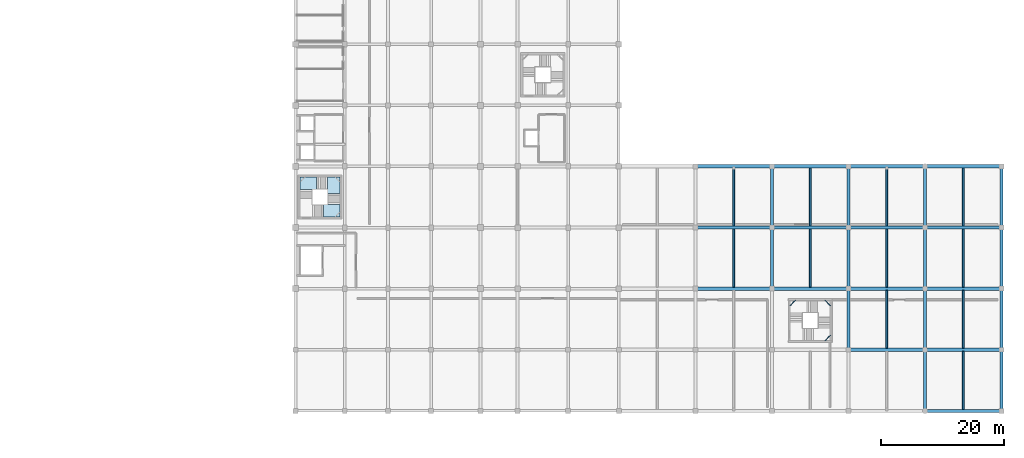
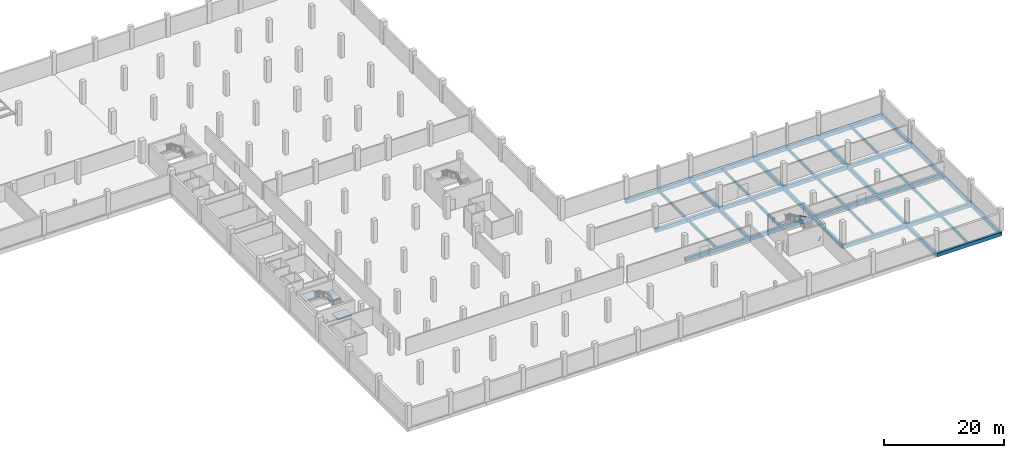
# One storey, part 7 of 32: 42 beams, 3 slabs, 1 element without a shape of its own.
"""IFC4 building model written with IfcOpenShell, lengths in metres."""

from ifc_helpers import new_model, si_unit, direction, frame, origin, origin_2d, place, context, subcontext, project, spatial, polyline, rectangle, hollow_rectangle, outline, extrude, material, layer, layer_set, material_profile, profile_set, type_object, element, aggregate, save


model = new_model("IFC4")

# Units and contexts
model_context = context("Model", 3, precision=1e-05, world=origin(), true_north=direction((0.0, 1.0)))
body_context = subcontext(model_context, "Body", "Model", "MODEL_VIEW")
ifc_project = project(units=[si_unit("LENGTHUNIT", "METRE"), si_unit("AREAUNIT", "SQUARE_METRE"), si_unit("VOLUMEUNIT", "CUBIC_METRE"), si_unit("PLANEANGLEUNIT", "RADIAN"), si_unit("MASSUNIT", "GRAM", prefix="KILO")], contexts=[model_context])

# Site, building, storey
site_placement = place(None, origin())
site = spatial("IfcSite", under=ifc_project, at=site_placement, CompositionType="ELEMENT")
building_placement = place(site_placement, origin())
building = spatial("IfcBuilding", under=site, at=building_placement, Name="Sillaruma Civic Art Gallery", CompositionType="ELEMENT")
storey_placement = place(building_placement, frame((0.0, 0.0, -4.590087890625)))
storey = spatial("IfcBuildingStorey", under=building, at=storey_placement, Name="B01", CompositionType="ELEMENT", Elevation=-4.590087890625)

# Beams
ifc_material_1 = material(Name="Concrete H40 (40 MPa)", Category="concrete")
ifc_material_profile_1 = material_profile(ifc_material_1, rectangle(XDim=0.449951171875, YDim=0.75, at=origin_2d()), Name="RCB450x750")
ifc_profile_set_1 = profile_set([ifc_material_profile_1], Name="Concrete H40 (40 MPa)")
beam_type_1 = type_object("IfcBeamType", Name="BM-BEAM-RCB450x750", PredefinedType="BEAM", material=ifc_profile_set_1)
beam_1_placement = place(storey_placement, frame((139.199951171875, 19.800048828125, -0.655029296875), z_axis=(0.0, 1.0, 0.0), x_axis=(-1.0, 0.0, 0.0)))
element("IfcBeam", 1, at=beam_1_placement, inside=storey, type_object=beam_type_1, Name="Beam BM-03 (B02:Q:3-4)", PredefinedType="BEAM", context=body_context, shape_type="SweptSolid", body=[
    extrude(rectangle(XDim=0.449951171875, YDim=0.75, at=origin_2d()), origin(), (0.0, 0.0, 1.0), 9.89990234375),
])
for number, where, z_axis, x_axis, name in (
    (2, (139.199951171875, 29.699951171875, -0.655029296875), (0.0, 1.0, 0.0), (-1.0, 0.0, 0.0), "Beam BM-03 (B02:Q:4-5)"),
    (3, (151.60009765625, 9.89990234375, -0.655029296875), (0.0, 1.0, 0.0), (-1.0, 0.0, 0.0), "Beam BM-03 (B02:R:2-3)"),
):
    element("IfcBeam", number, at=place(storey_placement, frame(where, z_axis=z_axis, x_axis=x_axis)), inside=storey, type_object=beam_type_1, Name=name, PredefinedType="BEAM", context=body_context, shape_type="SweptSolid", body=[
        extrude(rectangle(XDim=0.449951171875, YDim=0.75, at=origin_2d()), origin(), (0.0, 0.0, 1.0), 9.900146484375),
    ])
beam_2_placement = place(storey_placement, frame((151.60009765625, 19.800048828125, -0.655029296875), z_axis=(0.0, 1.0, 0.0), x_axis=(-1.0, 0.0, 0.0)))
element("IfcBeam", 4, at=beam_2_placement, inside=storey, type_object=beam_type_1, Name="Beam BM-03 (B02:R:3-4)", PredefinedType="BEAM", context=body_context, shape_type="SweptSolid", body=[
    extrude(rectangle(XDim=0.449951171875, YDim=0.75, at=origin_2d()), origin(), (0.0, 0.0, 1.0), 9.89990234375),
])
beam_3_placement = place(storey_placement, frame((151.60009765625, 29.699951171875, -0.655029296875), z_axis=(0.0, 1.0, 0.0), x_axis=(-1.0, 0.0, 0.0)))
element("IfcBeam", 5, at=beam_3_placement, inside=storey, type_object=beam_type_1, Name="Beam BM-03 (B02:R:4-5)", PredefinedType="BEAM", context=body_context, shape_type="SweptSolid", body=[
    extrude(rectangle(XDim=0.449951171875, YDim=0.75, at=origin_2d()), origin(), (0.0, 0.0, 1.0), 9.900146484375),
])
beam_4_placement = place(storey_placement, frame((164.0, 0.0, -0.655029296875), z_axis=(0.0, 1.0, 0.0), x_axis=(-1.0, 0.0, 0.0)))
element("IfcBeam", 6, at=beam_4_placement, inside=storey, type_object=beam_type_1, Name="Beam BM-03 (B02:S:1-2)", PredefinedType="BEAM", context=body_context, shape_type="SweptSolid", body=[
    extrude(rectangle(XDim=0.449951171875, YDim=0.75, at=origin_2d()), origin(), (0.0, 0.0, 1.0), 9.89990234375),
])
beam_5_placement = place(storey_placement, frame((164.0, 9.89990234375, -0.655029296875), z_axis=(0.0, 1.0, 0.0), x_axis=(-1.0, 0.0, 0.0)))
element("IfcBeam", 7, at=beam_5_placement, inside=storey, type_object=beam_type_1, Name="Beam BM-03 (B02:S:2-3)", PredefinedType="BEAM", context=body_context, shape_type="SweptSolid", body=[
    extrude(rectangle(XDim=0.449951171875, YDim=0.75, at=origin_2d()), origin(), (0.0, 0.0, 1.0), 9.900146484375),
])
beam_6_placement = place(storey_placement, frame((164.0, 19.800048828125, -0.655029296875), z_axis=(0.0, 1.0, 0.0), x_axis=(-1.0, 0.0, 0.0)))
element("IfcBeam", 8, at=beam_6_placement, inside=storey, type_object=beam_type_1, Name="Beam BM-03 (B02:S:3-4)", PredefinedType="BEAM", context=body_context, shape_type="SweptSolid", body=[
    extrude(rectangle(XDim=0.449951171875, YDim=0.75, at=origin_2d()), origin(), (0.0, 0.0, 1.0), 9.89990234375),
])
beam_7_placement = place(storey_placement, frame((164.0, 29.699951171875, -0.655029296875), z_axis=(0.0, 1.0, 0.0), x_axis=(-1.0, 0.0, 0.0)))
element("IfcBeam", 9, at=beam_7_placement, inside=storey, type_object=beam_type_1, Name="Beam BM-03 (B02:S:4-5)", PredefinedType="BEAM", context=body_context, shape_type="SweptSolid", body=[
    extrude(rectangle(XDim=0.449951171875, YDim=0.75, at=origin_2d()), origin(), (0.0, 0.0, 1.0), 9.900146484375),
])
beam_8_placement = place(storey_placement, frame((176.39990234375, 0.0, -0.655029296875), z_axis=(0.0, 1.0, 0.0), x_axis=(-1.0, 0.0, 0.0)))
element("IfcBeam", 10, at=beam_8_placement, inside=storey, type_object=beam_type_1, Name="Beam BM-03 (B02:T:1-2)", PredefinedType="BEAM", context=body_context, shape_type="SweptSolid", body=[
    extrude(rectangle(XDim=0.449951171875, YDim=0.75, at=origin_2d()), origin(), (0.0, 0.0, 1.0), 9.89990234375),
])
beam_9_placement = place(storey_placement, frame((176.39990234375, 9.89990234375, -0.655029296875), z_axis=(0.0, 1.0, 0.0), x_axis=(-1.0, 0.0, 0.0)))
element("IfcBeam", 11, at=beam_9_placement, inside=storey, type_object=beam_type_1, Name="Beam BM-03 (B02:T:2-3)", PredefinedType="BEAM", context=body_context, shape_type="SweptSolid", body=[
    extrude(rectangle(XDim=0.449951171875, YDim=0.75, at=origin_2d()), origin(), (0.0, 0.0, 1.0), 9.900146484375),
])
beam_10_placement = place(storey_placement, frame((176.39990234375, 19.800048828125, -0.655029296875), z_axis=(0.0, 1.0, 0.0), x_axis=(-1.0, 0.0, 0.0)))
element("IfcBeam", 12, at=beam_10_placement, inside=storey, type_object=beam_type_1, Name="Beam BM-03 (B02:T:3-4)", PredefinedType="BEAM", context=body_context, shape_type="SweptSolid", body=[
    extrude(rectangle(XDim=0.449951171875, YDim=0.75, at=origin_2d()), origin(), (0.0, 0.0, 1.0), 9.89990234375),
])
beam_11_placement = place(storey_placement, frame((176.39990234375, 29.699951171875, -0.655029296875), z_axis=(0.0, 1.0, 0.0), x_axis=(-1.0, 0.0, 0.0)))
element("IfcBeam", 13, at=beam_11_placement, inside=storey, type_object=beam_type_1, Name="Beam BM-03 (B02:T:4-5)", PredefinedType="BEAM", context=body_context, shape_type="SweptSolid", body=[
    extrude(rectangle(XDim=0.449951171875, YDim=0.75, at=origin_2d()), origin(), (0.0, 0.0, 1.0), 9.900146484375),
])
ifc_material_profile_2 = material_profile(ifc_material_1, rectangle(XDim=0.550048828125, YDim=0.85009765625, at=origin_2d()), Name="RCB550x850")
ifc_profile_set_2 = profile_set([ifc_material_profile_2], Name="Concrete H40 (40 MPa)")
beam_type_2 = type_object("IfcBeamType", Name="BM-BEAM-RCB550x850", PredefinedType="BEAM", material=ifc_profile_set_2)
beam_12_placement = place(storey_placement, frame((126.800048828125, 39.60009765625, -0.704833984375), z_axis=(1.0, 0.0, 0.0), x_axis=(0.0, 1.0, 0.0)))
element("IfcBeam", 14, at=beam_12_placement, inside=storey, type_object=beam_type_2, Name="Beam BM-01 (B02:5:P-Q)", PredefinedType="BEAM", context=body_context, shape_type="SweptSolid", body=[
    extrude(rectangle(XDim=0.550048828125, YDim=0.85009765625, at=origin_2d()), origin(), (0.0, 0.0, 1.0), 12.39990234375),
])
beam_13_placement = place(storey_placement, frame((139.199951171875, 39.60009765625, -0.704833984375), z_axis=(1.0, 0.0, 0.0), x_axis=(0.0, 1.0, 0.0)))
element("IfcBeam", 15, at=beam_13_placement, inside=storey, type_object=beam_type_2, Name="Beam BM-01 (B02:5:Q-R)", PredefinedType="BEAM", context=body_context, shape_type="SweptSolid", body=[
    extrude(rectangle(XDim=0.550048828125, YDim=0.85009765625, at=origin_2d()), origin(), (0.0, 0.0, 1.0), 12.400146484375),
])
for number, where, z_axis, x_axis, name in (
    (16, (151.60009765625, 39.60009765625, -0.704833984375), (1.0, 0.0, 0.0), (0.0, 1.0, 0.0), "Beam BM-01 (B02:5:R-S)"),
    (17, (164.0, 39.60009765625, -0.704833984375), (1.0, 0.0, 0.0), (0.0, 1.0, 0.0), "Beam BM-01 (B02:5:S-T)"),
):
    element("IfcBeam", number, at=place(storey_placement, frame(where, z_axis=z_axis, x_axis=x_axis)), inside=storey, type_object=beam_type_2, Name=name, PredefinedType="BEAM", context=body_context, shape_type="SweptSolid", body=[
        extrude(rectangle(XDim=0.550048828125, YDim=0.85009765625, at=origin_2d()), origin(), (0.0, 0.0, 1.0), 12.39990234375),
    ])
ifc_material_2 = material(Name="Concrete H35 (35 MPa)", Category="concrete")
ifc_material_profile_3 = material_profile(ifc_material_2, rectangle(XDim=0.300048828125, YDim=0.52001953125, at=origin_2d()), Name="RCB300x520")
ifc_profile_set_3 = profile_set([ifc_material_profile_3], Name="Concrete H35 (35 MPa)")
beam_type_3 = type_object("IfcBeamType", Name="BM-JOIST-RCB300x520", PredefinedType="JOIST", material=ifc_profile_set_3)
beam_14_placement = place(storey_placement, frame((170.199951171875, 0.22509765625, -0.539794921875), z_axis=(0.0, 1.0, 0.0), x_axis=(-1.0, 0.0, 0.0)))
element("IfcBeam", 18, at=beam_14_placement, inside=storey, type_object=beam_type_3, Name="Floor Joist JR-01 (B02:ST:1-2)", PredefinedType="JOIST", context=body_context, shape_type="SweptSolid", body=[
    extrude(rectangle(XDim=0.300048828125, YDim=0.52001953125, at=origin_2d()), origin(), (0.0, 0.0, 1.0), 9.414794921875),
])
for number, where, z_axis, x_axis, name in (
    (19, (157.800048828125, 10.159912109375, -0.539794921875), (0.0, 1.0, 0.0), (-1.0, 0.0, 0.0), "Floor Joist JR-01 (B02:RS:2-3)"),
    (20, (170.199951171875, 10.159912109375, -0.539794921875), (0.0, 1.0, 0.0), (-1.0, 0.0, 0.0), "Floor Joist JR-01 (B02:ST:2-3)"),
):
    element("IfcBeam", number, at=place(storey_placement, frame(where, z_axis=z_axis, x_axis=x_axis)), inside=storey, type_object=beam_type_3, Name=name, PredefinedType="JOIST", context=body_context, shape_type="SweptSolid", body=[
        extrude(rectangle(XDim=0.300048828125, YDim=0.52001953125, at=origin_2d()), origin(), (0.0, 0.0, 1.0), 9.380126953125),
    ])
for number, where, z_axis, x_axis, name in (
    (21, (133.0, 20.06005859375, -0.539794921875), (0.0, 1.0, 0.0), (-1.0, 0.0, 0.0), "Floor Joist JR-01 (B02:PQ:3-4)"),
    (22, (145.39990234375, 20.06005859375, -0.539794921875), (0.0, 1.0, 0.0), (-1.0, 0.0, 0.0), "Floor Joist JR-01 (B02:QR:3-4)"),
    (23, (157.800048828125, 20.06005859375, -0.539794921875), (0.0, 1.0, 0.0), (-1.0, 0.0, 0.0), "Floor Joist JR-01 (B02:RS:3-4)"),
    (24, (170.199951171875, 20.06005859375, -0.539794921875), (0.0, 1.0, 0.0), (-1.0, 0.0, 0.0), "Floor Joist JR-01 (B02:ST:3-4)"),
):
    element("IfcBeam", number, at=place(storey_placement, frame(where, z_axis=z_axis, x_axis=x_axis)), inside=storey, type_object=beam_type_3, Name=name, PredefinedType="JOIST", context=body_context, shape_type="SweptSolid", body=[
        extrude(rectangle(XDim=0.300048828125, YDim=0.52001953125, at=origin_2d()), origin(), (0.0, 0.0, 1.0), 9.3798828125),
    ])
for number, where, z_axis, x_axis, name in (
    (25, (133.0, 29.9599609375, -0.539794921875), (0.0, 1.0, 0.0), (-1.0, 0.0, 0.0), "Floor Joist JR-01 (B02:PQ:4-5)"),
    (26, (145.39990234375, 29.9599609375, -0.539794921875), (0.0, 1.0, 0.0), (-1.0, 0.0, 0.0), "Floor Joist JR-01 (B02:QR:4-5)"),
    (27, (157.800048828125, 29.9599609375, -0.539794921875), (0.0, 1.0, 0.0), (-1.0, 0.0, 0.0), "Floor Joist JR-01 (B02:RS:4-5)"),
    (28, (170.199951171875, 29.9599609375, -0.539794921875), (0.0, 1.0, 0.0), (-1.0, 0.0, 0.0), "Floor Joist JR-01 (B02:ST:4-5)"),
):
    element("IfcBeam", number, at=place(storey_placement, frame(where, z_axis=z_axis, x_axis=x_axis)), inside=storey, type_object=beam_type_3, Name=name, PredefinedType="JOIST", context=body_context, shape_type="SweptSolid", body=[
        extrude(rectangle(XDim=0.300048828125, YDim=0.52001953125, at=origin_2d()), origin(), (0.0, 0.0, 1.0), 9.364990234375),
    ])
ifc_material_3 = material(Name="Structural Steel ASTM A500 Gr.C", Category="steel")
ifc_material_profile_4 = material_profile(ifc_material_3, hollow_rectangle(XDim=0.080078125, YDim=0.159912109375, WallThickness=0.008056640625, InnerFilletRadius=0.008056640625, OuterFilletRadius=0.01611328125, at=origin_2d()), Name="HSS160x80x8")
ifc_profile_set_4 = profile_set([ifc_material_profile_4], Name="Structural Steel ASTM A500 Gr.C")
beam_type_4 = type_object("IfcBeamType", Name="BM-LND-HSS160", PredefinedType="BEAM", material=ifc_profile_set_4)
for number, where, z_axis, x_axis, name in (
    (29, (147.7900390625, 11.360107421875, 0.91015625), (0.707106781187, 0.707106781187, 0.0), (-0.707106781187, 0.707106781187, 0.0), "Stair Corner Landing Trimmer Beam (ST-05-B01-1)"),
    (30, (147.7900390625, 17.919921875, 2.10009765625), (0.707106781187, -0.707106781187, 0.0), (0.707106781187, 0.707106781187, 0.0), "Stair Corner Landing Trimmer Beam (ST-05-B01-2)"),
    (31, (142.1201171875, 17.030029296875, 3.2900390625), (0.707106781187, 0.707106781187, 0.0), (-0.707106781187, 0.707106781187, 0.0), "Stair Corner Landing Trimmer Beam (ST-05-B01-3)"),
):
    element("IfcBeam", number, at=place(storey_placement, frame(where, z_axis=z_axis, x_axis=x_axis)), inside=storey, type_object=beam_type_4, Name=name, PredefinedType="BEAM", context=body_context, shape_type="SweptSolid", body=[
        extrude(hollow_rectangle(XDim=0.080078125, YDim=0.159912109375, WallThickness=0.008056640625, InnerFilletRadius=0.008056640625, OuterFilletRadius=0.01611328125, at=origin_2d()), origin(), (0.0, 0.0, 1.0), 1.258544921875),
    ])
ifc_material_profile_5 = material_profile(ifc_material_1, rectangle(XDim=0.449951171875, YDim=0.75, at=origin_2d()), Name="RCB450x750")
ifc_profile_set_5 = profile_set([ifc_material_profile_5], Name="Concrete H40 (40 MPa)")
beam_type_5 = type_object("IfcBeamType", Name="BM-SPANDREL-RCB450x750", PredefinedType="SPANDREL", material=ifc_profile_set_5)
beam_15_placement = place(storey_placement, frame((164.0, 0.0, -0.655029296875), z_axis=(1.0, 0.0, 0.0), x_axis=(0.0, 1.0, 0.0)))
element("IfcBeam", 32, at=beam_15_placement, inside=storey, type_object=beam_type_5, Name="Beam BS-01 (B02:1:S-T)", PredefinedType="SPANDREL", context=body_context, shape_type="SweptSolid", body=[
    extrude(rectangle(XDim=0.449951171875, YDim=0.75, at=origin_2d()), origin(), (0.0, 0.0, 1.0), 12.39990234375),
])
ifc_material_profile_6 = material_profile(ifc_material_1, rectangle(XDim=0.52001953125, YDim=0.780029296875, at=origin_2d()), Name="RCT520x780")
ifc_profile_set_6 = profile_set([ifc_material_profile_6], Name="Concrete H40 (40 MPa)")
beam_type_6 = type_object("IfcBeamType", Name="BM-T_BEAM-RCT520x780", PredefinedType="T_BEAM", material=ifc_profile_set_6)
for number, where, z_axis, x_axis, name in (
    (33, (151.60009765625, 9.89990234375, -0.669921875), (1.0, 0.0, 0.0), (0.0, 1.0, 0.0), "Beam BT-01 (B02:2:R-S)"),
    (34, (164.0, 9.89990234375, -0.669921875), (1.0, 0.0, 0.0), (0.0, 1.0, 0.0), "Beam BT-01 (B02:2:S-T)"),
    (35, (126.800048828125, 19.800048828125, -0.669921875), (1.0, 0.0, 0.0), (0.0, 1.0, 0.0), "Beam BT-01 (B02:3:P-Q)"),
):
    element("IfcBeam", number, at=place(storey_placement, frame(where, z_axis=z_axis, x_axis=x_axis)), inside=storey, type_object=beam_type_6, Name=name, PredefinedType="T_BEAM", context=body_context, shape_type="SweptSolid", body=[
        extrude(rectangle(XDim=0.52001953125, YDim=0.780029296875, at=origin_2d()), origin(), (0.0, 0.0, 1.0), 12.39990234375),
    ])
beam_16_placement = place(storey_placement, frame((139.199951171875, 19.800048828125, -0.669921875), z_axis=(1.0, 0.0, 0.0), x_axis=(0.0, 1.0, 0.0)))
element("IfcBeam", 36, at=beam_16_placement, inside=storey, type_object=beam_type_6, Name="Beam BT-01 (B02:3:Q-R)", PredefinedType="T_BEAM", context=body_context, shape_type="SweptSolid", body=[
    extrude(rectangle(XDim=0.52001953125, YDim=0.780029296875, at=origin_2d()), origin(), (0.0, 0.0, 1.0), 12.400146484375),
])
for number, where, z_axis, x_axis, name in (
    (37, (151.60009765625, 19.800048828125, -0.669921875), (1.0, 0.0, 0.0), (0.0, 1.0, 0.0), "Beam BT-01 (B02:3:R-S)"),
    (38, (164.0, 19.800048828125, -0.669921875), (1.0, 0.0, 0.0), (0.0, 1.0, 0.0), "Beam BT-01 (B02:3:S-T)"),
    (39, (126.800048828125, 29.699951171875, -0.669921875), (1.0, 0.0, 0.0), (0.0, 1.0, 0.0), "Beam BT-01 (B02:4:P-Q)"),
):
    element("IfcBeam", number, at=place(storey_placement, frame(where, z_axis=z_axis, x_axis=x_axis)), inside=storey, type_object=beam_type_6, Name=name, PredefinedType="T_BEAM", context=body_context, shape_type="SweptSolid", body=[
        extrude(rectangle(XDim=0.52001953125, YDim=0.780029296875, at=origin_2d()), origin(), (0.0, 0.0, 1.0), 12.39990234375),
    ])
beam_17_placement = place(storey_placement, frame((139.199951171875, 29.699951171875, -0.669921875), z_axis=(1.0, 0.0, 0.0), x_axis=(0.0, 1.0, 0.0)))
element("IfcBeam", 40, at=beam_17_placement, inside=storey, type_object=beam_type_6, Name="Beam BT-01 (B02:4:Q-R)", PredefinedType="T_BEAM", context=body_context, shape_type="SweptSolid", body=[
    extrude(rectangle(XDim=0.52001953125, YDim=0.780029296875, at=origin_2d()), origin(), (0.0, 0.0, 1.0), 12.400146484375),
])
for number, where, z_axis, x_axis, name in (
    (41, (151.60009765625, 29.699951171875, -0.669921875), (1.0, 0.0, 0.0), (0.0, 1.0, 0.0), "Beam BT-01 (B02:4:R-S)"),
    (42, (164.0, 29.699951171875, -0.669921875), (1.0, 0.0, 0.0), (0.0, 1.0, 0.0), "Beam BT-01 (B02:4:S-T)"),
):
    element("IfcBeam", number, at=place(storey_placement, frame(where, z_axis=z_axis, x_axis=x_axis)), inside=storey, type_object=beam_type_6, Name=name, PredefinedType="T_BEAM", context=body_context, shape_type="SweptSolid", body=[
        extrude(rectangle(XDim=0.52001953125, YDim=0.780029296875, at=origin_2d()), origin(), (0.0, 0.0, 1.0), 12.39990234375),
    ])

# Stair, slabs
stair_type = type_object("IfcStairType", Name="STR-4F-27", PredefinedType="USERDEFINED", material=ifc_material_2)
stair_placement = place(storey_placement, origin())
stair = element("IfcStair", 43, at=stair_placement, inside=storey, type_object=stair_type, Name="Protected Exit Stair ST-03 (West Bar South) (B01)", ObjectType="THREE_RETURN_STAIR", PredefinedType="USERDEFINED")
ifc_layer = layer(ifc_material_2, 0.199951171875, Name="Concrete H35 (35 MPa)")
ifc_layer_set = layer_set([ifc_layer], Name="Concrete H35 (35 MPa)")
slab_type = type_object("IfcSlabType", Name="SLB-LND-200", PredefinedType="LANDING", material=ifc_layer_set)
slab_1_placement = place(storey_placement, frame((0.0, 0.0, 0.989990234375)))
slab_1 = element("IfcSlab", 44, at=slab_1_placement, type_object=slab_type, Name="ST-03 landing 1", PredefinedType="LANDING", context=body_context, shape_type="SweptSolid", body=[
    extrude(outline(polyline([(66.5400390625, 31.409912109375), (69.239990234375, 31.409912109375), (69.239990234375, 33.449951171875), (66.5400390625, 33.449951171875), (66.5400390625, 31.409912109375)])), origin(), (0.0, 0.0, 1.0), 0.2001953125),
])
slab_2_placement = place(storey_placement, frame((0.0, 0.0, 2.18017578125)))
slab_2 = element("IfcSlab", 45, at=slab_2_placement, type_object=slab_type, Name="ST-03 landing 2", PredefinedType="LANDING", context=body_context, shape_type="SweptSolid", body=[
    extrude(outline(polyline([(67.199951171875, 35.18994140625), (69.239990234375, 35.18994140625), (69.239990234375, 37.889892578125), (67.199951171875, 37.889892578125), (67.199951171875, 35.18994140625)])), origin(), (0.0, 0.0, 1.0), 0.199951171875),
])
slab_3_placement = place(storey_placement, frame((0.0, 0.0, 3.3701171875)))
slab_3 = element("IfcSlab", 46, at=slab_3_placement, type_object=slab_type, Name="ST-03 landing 3", PredefinedType="LANDING", context=body_context, shape_type="SweptSolid", body=[
    extrude(outline(polyline([(62.760009765625, 35.85009765625), (65.4599609375, 35.85009765625), (65.4599609375, 37.889892578125), (62.760009765625, 37.889892578125), (62.760009765625, 35.85009765625)])), origin(), (0.0, 0.0, 1.0), 0.199951171875),
])
aggregate(stair, [slab_1, slab_2, slab_3])

save(model, "model.ifc")
